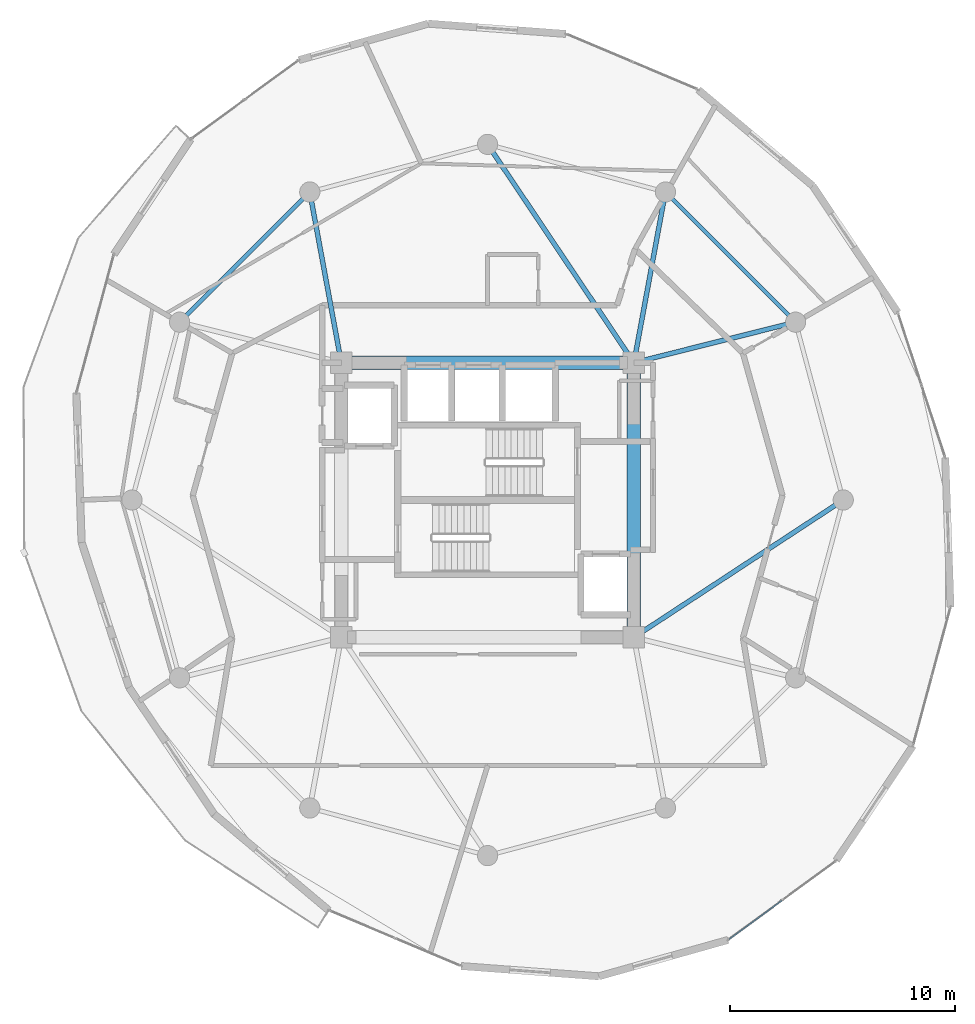
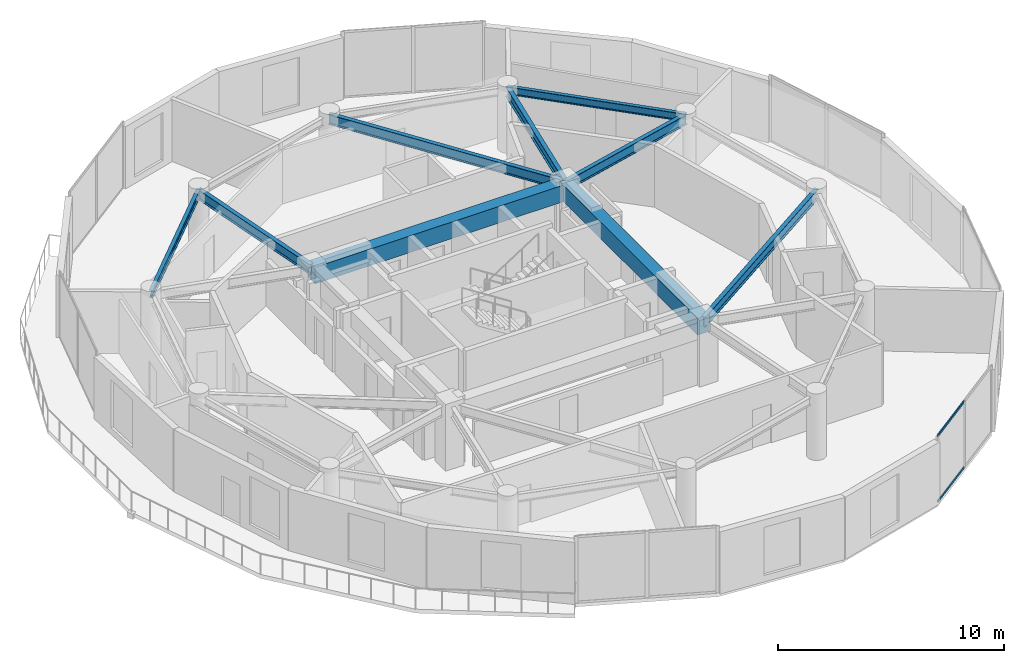
# One storey, part 7 of 18: 9 beams, 2 members, 1 element without a shape of its own.
"""IFC4 building model written with IfcOpenShell, lengths in metres."""

from ifc_helpers import new_model, si_unit, direction, frame, origin, origin_2d, place, context, subcontext, project, spatial, rectangle, hollow_rectangle, i_section, extrude, source, transform, mapped, material, layer, layer_set, material_profile, profile_set, type_object, element, aggregate, save


model = new_model("IFC4")

# Units and contexts
model_context = context("Model", 3, precision=1e-05, world=origin(), true_north=direction((0.0, 1.0)))
body_context = subcontext(model_context, "Body", "Model", "MODEL_VIEW")
ifc_project = project(units=[si_unit("LENGTHUNIT", "METRE"), si_unit("AREAUNIT", "SQUARE_METRE"), si_unit("VOLUMEUNIT", "CUBIC_METRE"), si_unit("PLANEANGLEUNIT", "RADIAN"), si_unit("MASSUNIT", "GRAM", prefix="KILO")], contexts=[model_context])

# Site, building, storey
site_placement = place(None, origin())
site = spatial("IfcSite", under=ifc_project, at=site_placement, CompositionType="ELEMENT")
building_placement = place(site_placement, origin())
building = spatial("IfcBuilding", under=site, at=building_placement, Name="Solvirekh Grand Hotel", CompositionType="ELEMENT")
storey_placement = place(building_placement, frame((0.0, 0.0, 202.0)))
storey = spatial("IfcBuildingStorey", under=building, at=storey_placement, Name="L52", CompositionType="ELEMENT", Elevation=202.0)

# Beams
ifc_material_1 = material(Name="Concrete C50/60", Category="concrete")
ifc_material_profile_1 = material_profile(ifc_material_1, rectangle(XDim=0.60009765625, YDim=0.89990234375, at=origin_2d()), Name="RC BEAM 600X900")
ifc_profile_set_1 = profile_set([ifc_material_profile_1], Name="Concrete C50/60")
beam_type_1 = type_object("IfcBeamType", Name="Beam_Core_RC900", PredefinedType="BEAM", material=ifc_profile_set_1)
beam_1_placement = place(storey_placement, frame((6.5, -6.10009765625, 2.909912109375), z_axis=(0.0, 1.0, 0.0), x_axis=(-1.0, 0.0, 0.0)))
element("IfcBeam", 1, at=beam_1_placement, inside=storey, type_object=beam_type_1, Name="L52 core coupling ring beam 2", PredefinedType="BEAM", context=body_context, shape_type="SweptSolid", body=[
    extrude(rectangle(XDim=0.60009765625, YDim=0.89990234375, at=origin_2d()), origin(), (0.0, 0.0, 1.0), 12.2001953125),
])
beam_2_placement = place(storey_placement, frame((6.5, 6.10009765625, 2.909912109375), z_axis=(-1.0, 0.0, 0.0), x_axis=(0.0, -1.0, 0.0)))
element("IfcBeam", 2, at=beam_2_placement, inside=storey, type_object=beam_type_1, Name="L52 core coupling ring beam 3", PredefinedType="BEAM", context=body_context, shape_type="SweptSolid", body=[
    extrude(rectangle(XDim=0.60009765625, YDim=0.89990234375, at=origin_2d()), origin(), (0.0, 0.0, 1.0), 13.0),
])
ifc_material_2 = material(Name="Steel S355", Category="steel")
ifc_material_profile_2 = material_profile(ifc_material_2, i_section(OverallWidth=0.2119140625, OverallDepth=0.5439453125, WebThickness=0.011962890625, FlangeThickness=0.01904296875, FilletRadius=0.013916015625, at=origin_2d()), Name="W530X123")
ifc_profile_set_2 = profile_set([ifc_material_profile_2], Name="Steel S355")
beam_type_2 = type_object("IfcBeamType", Name="Beam_Radial_W530H", PredefinedType="BEAM", material=ifc_profile_set_2)
beam_3_placement = place(storey_placement, frame((6.5, -6.10009765625, 3.087890625), z_axis=(0.836174064962, 0.548464158432, 0.0), x_axis=(-0.548464158432, 0.836174064962, 0.0)))
element("IfcBeam", 3, at=beam_3_placement, inside=storey, type_object=beam_type_2, Name="L52 radial floor beam R01", PredefinedType="BEAM", context=body_context, shape_type="SweptSolid", body=[
    extrude(i_section(OverallWidth=0.2119140625, OverallDepth=0.5439453125, WebThickness=0.011962890625, FlangeThickness=0.01904296875, FilletRadius=0.013916015625, at=origin_2d()), origin(), (0.0, 0.0, 1.0), 11.1220703125),
])
beam_4_placement = place(storey_placement, frame((6.5, 6.10009765625, 3.087890625), z_axis=(0.970014367692, 0.243047580675, 0.0), x_axis=(-0.243047580675, 0.970014367692, 0.0)))
element("IfcBeam", 4, at=beam_4_placement, inside=storey, type_object=beam_type_2, Name="L52 radial floor beam R02", PredefinedType="BEAM", context=body_context, shape_type="SweptSolid", body=[
    extrude(i_section(OverallWidth=0.2119140625, OverallDepth=0.5439453125, WebThickness=0.011962890625, FlangeThickness=0.01904296875, FilletRadius=0.013916015625, at=origin_2d()), origin(), (0.0, 0.0, 1.0), 7.4052734375),
])
beam_5_placement = place(storey_placement, frame((6.5, 6.10009765625, 3.087890625), z_axis=(0.181542769111, 0.983383049978, 0.0), x_axis=(-0.983383049978, 0.181542769111, 0.0)))
element("IfcBeam", 5, at=beam_5_placement, inside=storey, type_object=beam_type_2, Name="L52 radial floor beam R03", PredefinedType="BEAM", context=body_context, shape_type="SweptSolid", body=[
    extrude(i_section(OverallWidth=0.2119140625, OverallDepth=0.5439453125, WebThickness=0.011962890625, FlangeThickness=0.01904296875, FilletRadius=0.013916015625, at=origin_2d()), origin(), (0.0, 0.0, 1.0), 7.711181640625),
])
beam_6_placement = place(storey_placement, frame((6.5, 6.10009765625, 3.087890625), z_axis=(-0.556676926176, 0.830729077295, 0.0), x_axis=(-0.830729077295, -0.556676926176, 0.0)))
element("IfcBeam", 6, at=beam_6_placement, inside=storey, type_object=beam_type_2, Name="L52 radial floor beam R04", PredefinedType="BEAM", context=body_context, shape_type="SweptSolid", body=[
    extrude(i_section(OverallWidth=0.2119140625, OverallDepth=0.5439453125, WebThickness=0.011962890625, FlangeThickness=0.01904296875, FilletRadius=0.013916015625, at=origin_2d()), origin(), (0.0, 0.0, 1.0), 11.676513671875),
])
beam_7_placement = place(storey_placement, frame((-6.5, 6.10009765625, 3.087890625), z_axis=(-0.181542769111, 0.983383049978, 0.0), x_axis=(-0.983383049978, -0.181542769111, 0.0)))
element("IfcBeam", 7, at=beam_7_placement, inside=storey, type_object=beam_type_2, Name="L52 radial floor beam R05", PredefinedType="BEAM", context=body_context, shape_type="SweptSolid", body=[
    extrude(i_section(OverallWidth=0.2119140625, OverallDepth=0.5439453125, WebThickness=0.011962890625, FlangeThickness=0.01904296875, FilletRadius=0.013916015625, at=origin_2d()), origin(), (0.0, 0.0, 1.0), 7.711181640625),
])
ifc_material_profile_3 = material_profile(ifc_material_2, i_section(OverallWidth=0.180908203125, OverallDepth=0.4169921875, WebThickness=0.010009765625, FlangeThickness=0.01611328125, FilletRadius=0.011962890625, at=origin_2d()), Name="W410X85")
ifc_profile_set_3 = profile_set([ifc_material_profile_3], Name="Steel S355")
beam_type_3 = type_object("IfcBeamType", Name="Spandrel_Ring_W410", PredefinedType="SPANDREL", material=ifc_profile_set_3)
for number, where, z_axis, x_axis, name in (
    (8, (13.68310546875, 7.89990234375, 3.152099609375), (-0.707106781187, 0.707106781187, 0.0), (-0.707106781187, -0.707106781187, 0.0), "L52 perimeter spandrel beam 2"),
    (9, (-7.89990234375, 13.68310546875, 3.152099609375), (-0.707106781187, -0.707106781187, 0.0), (0.707106781187, -0.707106781187, 0.0), "L52 perimeter spandrel beam 5"),
):
    element("IfcBeam", number, at=place(storey_placement, frame(where, z_axis=z_axis, x_axis=x_axis)), inside=storey, type_object=beam_type_3, Name=name, PredefinedType="SPANDREL", context=body_context, shape_type="SweptSolid", body=[
        extrude(i_section(OverallWidth=0.180908203125, OverallDepth=0.4169921875, WebThickness=0.010009765625, FlangeThickness=0.01611328125, FilletRadius=0.011962890625, at=origin_2d()), origin(), (0.0, 0.0, 1.0), 8.1787109375),
    ])

# Curtain wall, members
ifc_material_3 = material(Name="Anodized Bronze Aluminium 6063-T6", Category="aluminium")
ifc_layer = layer(ifc_material_3, 0.159912109375)
ifc_layer_set = layer_set([ifc_layer], Name="Anodized Bronze Aluminium 6063-T6")
curtain_wall_type = type_object("IfcCurtainWallType", Name="CW_Sys4_HighZoneFlushBronzeCW", PredefinedType="NOTDEFINED", material=ifc_layer_set)
curtain_wall_placement = place(storey_placement, origin())
curtain_wall = element("IfcCurtainWall", 10, at=curtain_wall_placement, inside=storey, type_object=curtain_wall_type, Name="L52 unitised bronze-glass curtain wall CW-L52-C01", PredefinedType="NOTDEFINED")
ifc_material_profile_4 = material_profile(ifc_material_3, hollow_rectangle(XDim=0.054931640625, YDim=0.1201171875, WallThickness=0.00390625, at=origin_2d()), Name="ALU RHS 120X55X4")
ifc_profile_set_4 = profile_set([ifc_material_profile_4], Name="Anodized Bronze Aluminium 6063-T6")
member_type = type_object("IfcMemberType", Name="CWTransom_Sys4", PredefinedType="USERDEFINED", material=ifc_profile_set_4)
shared_shape = source(origin(), body_context, "Body", "SweptSolid", [
    extrude(hollow_rectangle(XDim=0.054931640625, YDim=0.1201171875, WallThickness=0.00390625, at=origin_2d()), origin(), (0.0, 0.0, 1.0), 2.8935546875),
])
member_1_placement = place(storey_placement, frame((10.7333984375, -19.513427734375, 0.027587890625), z_axis=(0.806133979444, 0.591733053992, 0.0), x_axis=(-0.591733053992, 0.806133979444, 0.0)))
member_1 = element("IfcMember", 11, at=member_1_placement, type_object=member_type, Name="U04 transom 1.1", ObjectType="TRANSOM", PredefinedType="USERDEFINED", context=body_context, shape_type="MappedRepresentation", body=[
    mapped(shared_shape, transform((0.0, 0.0, 0.0), x_axis=(1.0, 0.0, 0.0), y_axis=(0.0, 1.0, 0.0), z_axis=(0.0, 0.0, 1.0), scale=1.0)),
])
member_2_placement = place(storey_placement, frame((10.7333984375, -19.513427734375, 3.572509765625), z_axis=(0.806133979444, 0.591733053992, 0.0), x_axis=(-0.591733053992, 0.806133979444, 0.0)))
member_2 = element("IfcMember", 12, at=member_2_placement, type_object=member_type, Name="U04 transom 1.2", ObjectType="TRANSOM", PredefinedType="USERDEFINED", context=body_context, shape_type="MappedRepresentation", body=[
    mapped(shared_shape, transform((0.0, 0.0, 0.0), x_axis=(1.0, 0.0, 0.0), y_axis=(0.0, 1.0, 0.0), z_axis=(0.0, 0.0, 1.0), scale=1.0)),
])
aggregate(curtain_wall, [member_1, member_2])

save(model, "model.ifc")
